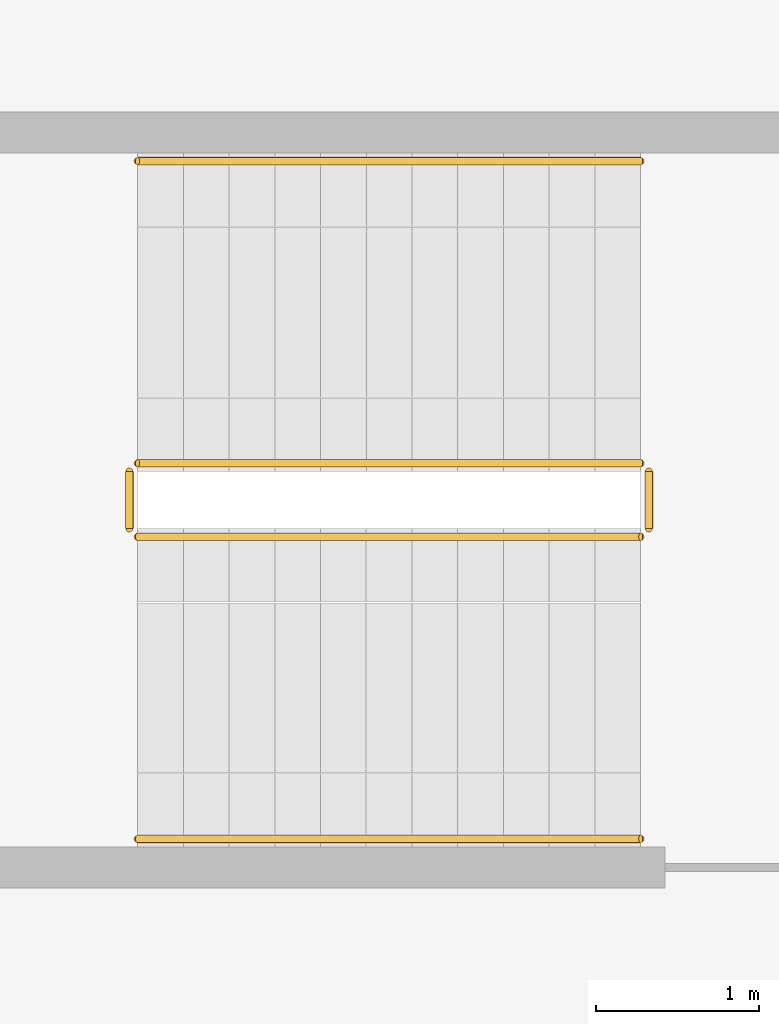
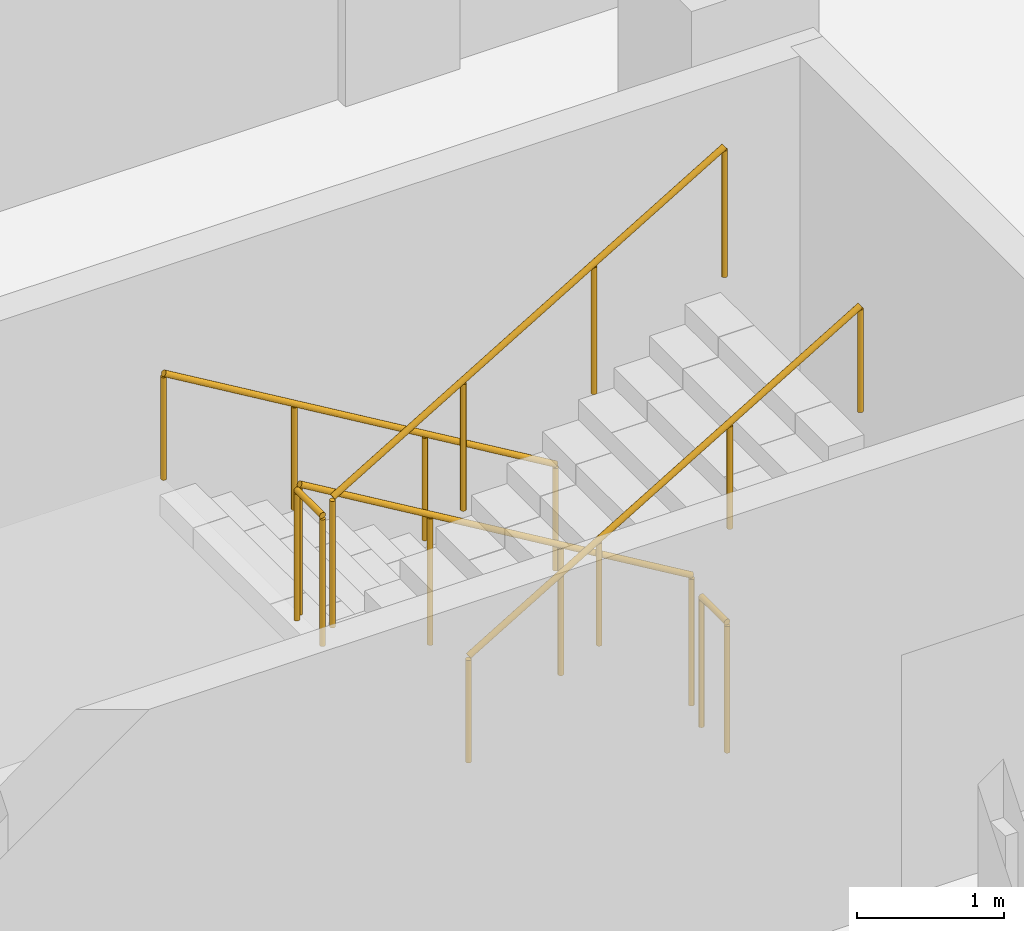
# One storey, part 15 of 15: 1 railing.
"""IFC4 building model written with IfcOpenShell, lengths in metres."""

from ifc_helpers import new_model, si_unit, direction, frame, origin, origin_2d, place, context, subcontext, project, spatial, circle, extrude, material, type_object, element, save


model = new_model("IFC4")

# Units and contexts
model_context = context("Model", 3, precision=1e-05, world=origin(), true_north=direction((0.0, 1.0)))
body_context = subcontext(model_context, "Body", "Model", "MODEL_VIEW")
ifc_project = project(units=[si_unit("LENGTHUNIT", "METRE"), si_unit("AREAUNIT", "SQUARE_METRE"), si_unit("VOLUMEUNIT", "CUBIC_METRE"), si_unit("PLANEANGLEUNIT", "RADIAN"), si_unit("MASSUNIT", "GRAM", prefix="KILO")], contexts=[model_context])

# Site, building, storey
site_placement = place(None, origin())
site = spatial("IfcSite", under=ifc_project, at=site_placement, CompositionType="ELEMENT")
building_placement = place(site_placement, origin())
building = spatial("IfcBuilding", under=site, at=building_placement, Name="Corbelhall Arena Tower", CompositionType="ELEMENT")
storey_placement = place(building_placement, frame((0.0, 0.0, 188.0)))
storey = spatial("IfcBuildingStorey", under=building, at=storey_placement, Name="L38", CompositionType="ELEMENT", Elevation=188.0)

# Railing
ifc_material = material(Name="Steel ASTM A500 Gr C", Category="steel")
railing_type = type_object("IfcRailingType", Name="IN-GD-1100", PredefinedType="GUARDRAIL", material=ifc_material)
railing_placement = place(storey_placement, frame((11.425048828125, 14.77490234375, 0.166748046875)))
element("IfcRailing", 1, at=railing_placement, inside=storey, type_object=railing_type, Name="L38 ST3 stair guards and handrails", PredefinedType="GUARDRAIL", context=body_context, shape_type="SweptSolid", body=[
    extrude(circle(Radius=0.02392578125, at=origin_2d()), frame((0.0, 0.0, 1.076171875), z_axis=(-0.859308565015, 0.0, 0.511457515432), x_axis=(0.0, -1.0, 0.0)), (0.0, 0.0, 1.0), 3.58447265625),
    extrude(circle(Radius=0.02392578125, at=origin_2d()), frame((-3.130126953125, -0.0498046875, 2.9091796875), z_axis=(0.0, -1.0, 0.0), x_axis=(1.0, 0.0, 0.0)), (0.0, 0.0, 1.0), 0.35009765625),
    extrude(circle(Radius=0.02392578125, at=origin_2d()), frame((-3.080078125, -0.449951171875, 3.076171875), z_axis=(0.859308565015, 0.0, 0.511457515432), x_axis=(0.0, 1.0, 0.0)), (0.0, 0.0, 1.0), 3.58447265625),
    extrude(circle(Radius=0.02392578125, at=origin_2d()), frame((0.050048828125, -0.0498046875, 0.9091796875), z_axis=(0.0, -1.0, 0.0), x_axis=(1.0, 0.0, 0.0)), (0.0, 0.0, 1.0), 0.35009765625),
    extrude(circle(Radius=0.02392578125, at=origin_2d()), frame((0.0, 1.85009765625, 0.8759765625), z_axis=(-0.859308565015, 0.0, 0.511457515432), x_axis=(0.0, -1.0, 0.0)), (0.0, 0.0, 1.0), 3.58447265625),
    extrude(circle(Radius=0.02392578125, at=origin_2d()), frame((-3.080078125, -2.2998046875, 2.8759765625), z_axis=(0.859308565015, 0.0, 0.511457515432), x_axis=(0.0, 1.0, 0.0)), (0.0, 0.0, 1.0), 3.58447265625),
    extrude(circle(Radius=0.02099609375, at=origin_2d()), origin(), (0.0, 0.0, 1.0), 1.052001953125),
    extrude(circle(Radius=0.02099609375, at=origin_2d()), frame((-1.026611328125, 0.0, 0.611083984375)), (0.0, 0.0, 1.0), 1.052001953125),
    extrude(circle(Radius=0.02099609375, at=origin_2d()), frame((-2.053466796875, 0.0, 1.22216796875)), (0.0, 0.0, 1.0), 1.052001953125),
    extrude(circle(Radius=0.02099609375, at=origin_2d()), frame((-3.080078125, 0.0, 1.833251953125)), (0.0, 0.0, 1.0), 1.052001953125),
    extrude(circle(Radius=0.02099609375, at=origin_2d()), frame((-3.130126953125, -0.0498046875, 1.833251953125)), (0.0, 0.0, 1.0), 1.052001953125),
    extrude(circle(Radius=0.02099609375, at=origin_2d()), frame((-3.130126953125, -0.39990234375, 1.833251953125)), (0.0, 0.0, 1.0), 1.052001953125),
    extrude(circle(Radius=0.02099609375, at=origin_2d()), frame((-3.080078125, -0.449951171875, 2.0)), (0.0, 0.0, 1.0), 1.052001953125),
    extrude(circle(Radius=0.02099609375, at=origin_2d()), frame((-2.053466796875, -0.449951171875, 2.611083984375)), (0.0, 0.0, 1.0), 1.052001953125),
    extrude(circle(Radius=0.02099609375, at=origin_2d()), frame((-1.026611328125, -0.449951171875, 3.22216796875)), (0.0, 0.0, 1.0), 1.052001953125),
    extrude(circle(Radius=0.02099609375, at=origin_2d()), frame((0.0, -0.449951171875, 3.833251953125)), (0.0, 0.0, 1.0), 1.052001953125),
    extrude(circle(Radius=0.02099609375, at=origin_2d()), frame((0.050048828125, -0.0498046875, -0.166748046875)), (0.0, 0.0, 1.0), 1.052001953125),
    extrude(circle(Radius=0.02099609375, at=origin_2d()), frame((0.050048828125, -0.39990234375, -0.166748046875)), (0.0, 0.0, 1.0), 1.052001953125),
    extrude(circle(Radius=0.02099609375, at=origin_2d()), frame((0.0, 1.85009765625, 0.0)), (0.0, 0.0, 1.0), 0.851806640625),
    extrude(circle(Radius=0.02099609375, at=origin_2d()), frame((-1.026611328125, 1.85009765625, 0.611083984375)), (0.0, 0.0, 1.0), 0.851806640625),
    extrude(circle(Radius=0.02099609375, at=origin_2d()), frame((-2.053466796875, 1.85009765625, 1.22216796875)), (0.0, 0.0, 1.0), 0.851806640625),
    extrude(circle(Radius=0.02099609375, at=origin_2d()), frame((-3.080078125, 1.85009765625, 1.833251953125)), (0.0, 0.0, 1.0), 0.851806640625),
    extrude(circle(Radius=0.02099609375, at=origin_2d()), frame((-3.080078125, -2.2998046875, 2.0)), (0.0, 0.0, 1.0), 0.851806640625),
    extrude(circle(Radius=0.02099609375, at=origin_2d()), frame((-2.053466796875, -2.2998046875, 2.611083984375)), (0.0, 0.0, 1.0), 0.851806640625),
    extrude(circle(Radius=0.02099609375, at=origin_2d()), frame((-1.026611328125, -2.2998046875, 3.22216796875)), (0.0, 0.0, 1.0), 0.851806640625),
    extrude(circle(Radius=0.02099609375, at=origin_2d()), frame((0.0, -2.2998046875, 3.833251953125)), (0.0, 0.0, 1.0), 0.851806640625),
])

save(model, "model.ifc")
